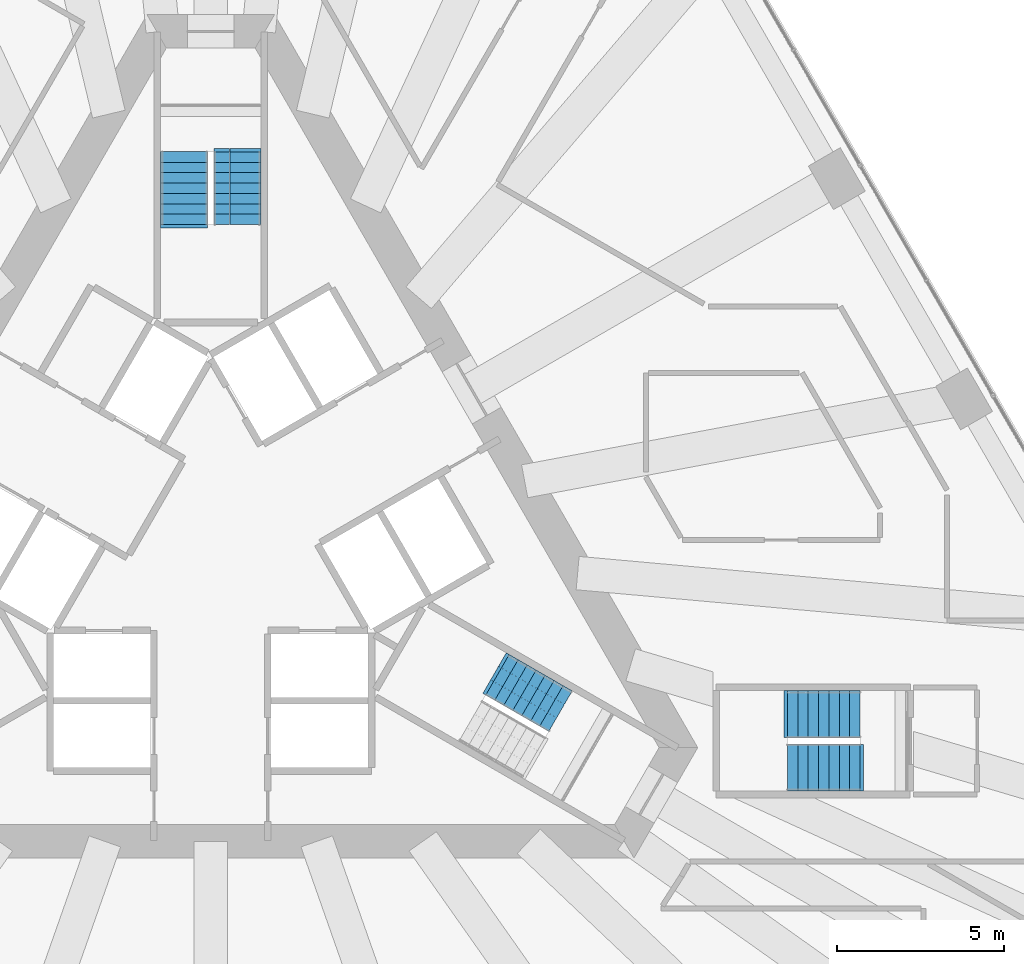
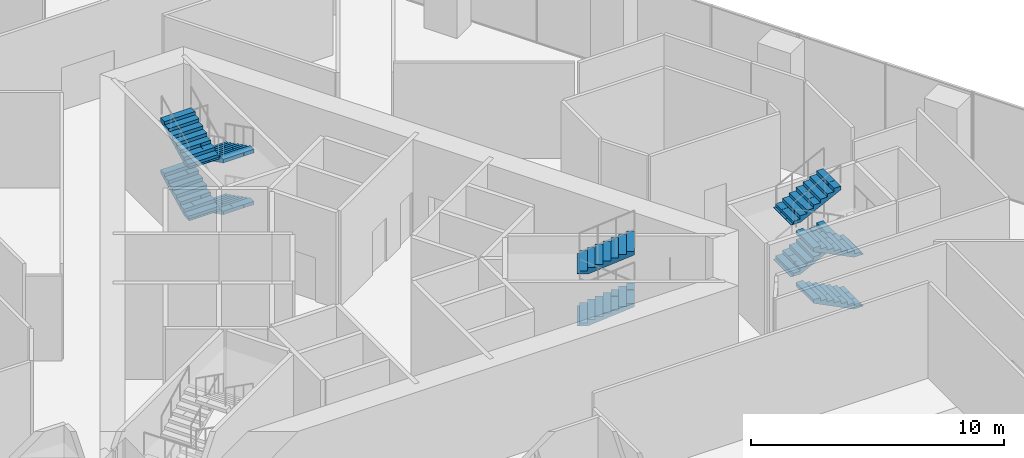
# One storey, part 30 of 32: 10 stair flights, 3 elements without a shape of their own.
"""IFC4 building model written with IfcOpenShell, lengths in metres."""

from ifc_helpers import new_model, si_unit, direction, frame, origin, place, context, subcontext, project, spatial, polyline, outline, extrude, material, type_object, element, aggregate, save


model = new_model("IFC4")

# Units and contexts
model_context = context("Model", 3, precision=1e-05, world=origin(), true_north=direction((0.0, 1.0)))
body_context = subcontext(model_context, "Body", "Model", "MODEL_VIEW")
ifc_project = project(units=[si_unit("LENGTHUNIT", "METRE"), si_unit("AREAUNIT", "SQUARE_METRE"), si_unit("VOLUMEUNIT", "CUBIC_METRE"), si_unit("PLANEANGLEUNIT", "RADIAN"), si_unit("MASSUNIT", "GRAM", prefix="KILO")], contexts=[model_context])

# Site, building, storey
site_placement = place(None, origin())
site = spatial("IfcSite", under=ifc_project, at=site_placement, CompositionType="ELEMENT")
building_placement = place(site_placement, origin())
building = spatial("IfcBuilding", under=site, at=building_placement, Name="Triada Interchange Tower", CompositionType="ELEMENT")
storey_placement = place(building_placement, frame((0.0, 0.0, 25.300048828125)))
storey = spatial("IfcBuildingStorey", under=building, at=storey_placement, Name="L04", CompositionType="ELEMENT", Elevation=25.300048828125)

# Stair, stair flights
ifc_material = material(Name="Concrete C35/45", Category="concrete")
stair_type = type_object("IfcStairType", Name="HALF TURN STAIR 1400", PredefinedType="HALF_TURN_STAIR", material=ifc_material)
stair_1_placement = place(storey_placement, origin())
stair_1 = element("IfcStair", 1, at=stair_1_placement, inside=storey, type_object=stair_type, Name="Exit stair S04-1", PredefinedType="HALF_TURN_STAIR")
stair_flight_type = type_object("IfcStairFlightType", Name="STRAIGHT STAIR FLIGHT 1400", PredefinedType="STRAIGHT", material=ifc_material)
stair_flight_1_placement = place(storey_placement, frame((0.800048828125, 11.60009765625, 0.0), z_axis=(0.0, 0.0, 1.0), x_axis=(0.0, -1.0, 0.0)))
stair_flight_1 = element("IfcStairFlight", 2, at=stair_flight_1_placement, type_object=stair_flight_type, Name="S04-1 flight 1", NumberOfRisers=8, NumberOfTreads=7, PredefinedType="STRAIGHT", RiserHeight=0.15625, TreadLength=0.31, context=body_context, shape_type="SweptSolid", body=[
    extrude(outline(polyline([(-0.10009765625, 0.0), (-0.10009765625, 0.02001953125), (0.0, 0.02001953125), (0.0, 0.15625), (0.31005859375, 0.15625), (0.31005859375, 0.3125), (0.6201171875, 0.3125), (0.6201171875, 0.46875), (0.929931640625, 0.46875), (0.929931640625, 0.625), (1.239990234375, 0.625), (1.239990234375, 0.78125), (1.550048828125, 0.78125), (1.550048828125, 0.9375), (1.860107421875, 0.9375), (1.860107421875, 1.09375), (2.169921875, 1.09375), (2.174072265625, 1.09375), (2.174072265625, 1.25), (2.174072265625, 0.92578125), (0.3330078125, 0.0), (-0.10009765625, 0.0)])), frame((0.0, 0.699951171875, 0.0), z_axis=(0.0, -1.0, 0.0), x_axis=(1.0, 0.0, 0.0)), (0.0, 0.0, 1.0), 0.46533203125),
    extrude(outline(polyline([(-0.10009765625, 0.0), (-0.10009765625, 0.02001953125), (0.0, 0.02001953125), (0.0, 0.15625), (0.31005859375, 0.15625), (0.31005859375, 0.3125), (0.6201171875, 0.3125), (0.6201171875, 0.46875), (0.929931640625, 0.46875), (0.929931640625, 0.625), (1.239990234375, 0.625), (1.239990234375, 0.78125), (1.550048828125, 0.78125), (1.550048828125, 0.9375), (1.860107421875, 0.9375), (1.860107421875, 1.09375), (2.169921875, 1.09375), (2.174072265625, 1.09375), (2.174072265625, 1.25), (2.174072265625, 0.92578125), (0.3330078125, 0.0), (-0.10009765625, 0.0)])), frame((0.0, 0.232666015625, 0.0), z_axis=(0.0, -1.0, 0.0), x_axis=(1.0, 0.0, 0.0)), (0.0, 0.0, 1.0), 0.46533203125),
    extrude(outline(polyline([(-0.10009765625, 0.0), (-0.10009765625, 0.02001953125), (0.0, 0.02001953125), (0.0, 0.15625), (0.31005859375, 0.15625), (0.31005859375, 0.3125), (0.6201171875, 0.3125), (0.6201171875, 0.46875), (0.929931640625, 0.46875), (0.929931640625, 0.625), (1.239990234375, 0.625), (1.239990234375, 0.78125), (1.550048828125, 0.78125), (1.550048828125, 0.9375), (1.860107421875, 0.9375), (1.860107421875, 1.09375), (2.169921875, 1.09375), (2.174072265625, 1.09375), (2.174072265625, 1.25), (2.174072265625, 0.92578125), (0.3330078125, 0.0), (-0.10009765625, 0.0)])), frame((0.0, -0.234619140625, 0.0), z_axis=(0.0, -1.0, 0.0), x_axis=(1.0, 0.0, 0.0)), (0.0, 0.0, 1.0), 0.46533203125),
])
stair_flight_2_placement = place(storey_placement, frame((-0.800048828125, 9.429931640625, 1.25), z_axis=(0.0, 0.0, 1.0), x_axis=(0.0, 1.0, 0.0)))
stair_flight_2 = element("IfcStairFlight", 3, at=stair_flight_2_placement, type_object=stair_flight_type, Name="S04-1 flight 2", NumberOfRisers=8, NumberOfTreads=7, PredefinedType="STRAIGHT", RiserHeight=0.15625, TreadLength=0.31, context=body_context, shape_type="SweptSolid", body=[
    extrude(outline(polyline([(-0.10009765625, 0.0), (-0.10009765625, 0.02001953125), (0.0, 0.02001953125), (0.0, 0.15625), (0.31005859375, 0.15625), (0.31005859375, 0.3125), (0.6201171875, 0.3125), (0.6201171875, 0.46875), (0.929931640625, 0.46875), (0.929931640625, 0.625), (1.239990234375, 0.625), (1.239990234375, 0.78125), (1.550048828125, 0.78125), (1.550048828125, 0.9375), (1.860107421875, 0.9375), (1.860107421875, 1.09375), (2.169921875, 1.09375), (2.174072265625, 1.09375), (2.174072265625, 1.25), (2.174072265625, 0.92578125), (0.3330078125, 0.0), (-0.10009765625, 0.0)])), frame((0.0, 0.699951171875, 0.0), z_axis=(0.0, -1.0, 0.0), x_axis=(1.0, 0.0, 0.0)), (0.0, 0.0, 1.0), 0.46533203125),
    extrude(outline(polyline([(-0.10009765625, 0.0), (-0.10009765625, 0.02001953125), (0.0, 0.02001953125), (0.0, 0.15625), (0.31005859375, 0.15625), (0.31005859375, 0.3125), (0.6201171875, 0.3125), (0.6201171875, 0.46875), (0.929931640625, 0.46875), (0.929931640625, 0.625), (1.239990234375, 0.625), (1.239990234375, 0.78125), (1.550048828125, 0.78125), (1.550048828125, 0.9375), (1.860107421875, 0.9375), (1.860107421875, 1.09375), (2.169921875, 1.09375), (2.174072265625, 1.09375), (2.174072265625, 1.25), (2.174072265625, 0.92578125), (0.3330078125, 0.0), (-0.10009765625, 0.0)])), frame((0.0, 0.232666015625, 0.0), z_axis=(0.0, -1.0, 0.0), x_axis=(1.0, 0.0, 0.0)), (0.0, 0.0, 1.0), 0.46533203125),
    extrude(outline(polyline([(-0.10009765625, 0.0), (-0.10009765625, 0.02001953125), (0.0, 0.02001953125), (0.0, 0.15625), (0.31005859375, 0.15625), (0.31005859375, 0.3125), (0.6201171875, 0.3125), (0.6201171875, 0.46875), (0.929931640625, 0.46875), (0.929931640625, 0.625), (1.239990234375, 0.625), (1.239990234375, 0.78125), (1.550048828125, 0.78125), (1.550048828125, 0.9375), (1.860107421875, 0.9375), (1.860107421875, 1.09375), (2.169921875, 1.09375), (2.174072265625, 1.09375), (2.174072265625, 1.25), (2.174072265625, 0.92578125), (0.3330078125, 0.0), (-0.10009765625, 0.0)])), frame((0.0, -0.234619140625, 0.0), z_axis=(0.0, -1.0, 0.0), x_axis=(1.0, 0.0, 0.0)), (0.0, 0.0, 1.0), 0.46533203125),
])
stair_flight_3_placement = place(storey_placement, frame((0.800048828125, 11.60009765625, 2.5), z_axis=(0.0, 0.0, 1.0), x_axis=(0.0, -1.0, 0.0)))
stair_flight_3 = element("IfcStairFlight", 4, at=stair_flight_3_placement, type_object=stair_flight_type, Name="S04-1 flight 3", NumberOfRisers=8, NumberOfTreads=7, PredefinedType="STRAIGHT", RiserHeight=0.15625, TreadLength=0.31, context=body_context, shape_type="SweptSolid", body=[
    extrude(outline(polyline([(-0.10009765625, 0.0), (-0.10009765625, 0.02001953125), (0.0, 0.02001953125), (0.0, 0.15625), (0.31005859375, 0.15625), (0.31005859375, 0.3125), (0.6201171875, 0.3125), (0.6201171875, 0.46875), (0.929931640625, 0.46875), (0.929931640625, 0.625), (1.239990234375, 0.625), (1.239990234375, 0.78125), (1.550048828125, 0.78125), (1.550048828125, 0.9375), (1.860107421875, 0.9375), (1.860107421875, 1.09375), (2.169921875, 1.09375), (2.174072265625, 1.09375), (2.174072265625, 1.25), (2.174072265625, 0.92578125), (0.3330078125, 0.0), (-0.10009765625, 0.0)])), frame((0.0, 0.699951171875, 0.0), z_axis=(0.0, -1.0, 0.0), x_axis=(1.0, 0.0, 0.0)), (0.0, 0.0, 1.0), 0.46533203125),
    extrude(outline(polyline([(-0.10009765625, 0.0), (-0.10009765625, 0.02001953125), (0.0, 0.02001953125), (0.0, 0.15625), (0.31005859375, 0.15625), (0.31005859375, 0.3125), (0.6201171875, 0.3125), (0.6201171875, 0.46875), (0.929931640625, 0.46875), (0.929931640625, 0.625), (1.239990234375, 0.625), (1.239990234375, 0.78125), (1.550048828125, 0.78125), (1.550048828125, 0.9375), (1.860107421875, 0.9375), (1.860107421875, 1.09375), (2.169921875, 1.09375), (2.174072265625, 1.09375), (2.174072265625, 1.25), (2.174072265625, 0.92578125), (0.3330078125, 0.0), (-0.10009765625, 0.0)])), frame((0.0, 0.232666015625, 0.0), z_axis=(0.0, -1.0, 0.0), x_axis=(1.0, 0.0, 0.0)), (0.0, 0.0, 1.0), 0.46533203125),
    extrude(outline(polyline([(-0.10009765625, 0.0), (-0.10009765625, 0.02001953125), (0.0, 0.02001953125), (0.0, 0.15625), (0.31005859375, 0.15625), (0.31005859375, 0.3125), (0.6201171875, 0.3125), (0.6201171875, 0.46875), (0.929931640625, 0.46875), (0.929931640625, 0.625), (1.239990234375, 0.625), (1.239990234375, 0.78125), (1.550048828125, 0.78125), (1.550048828125, 0.9375), (1.860107421875, 0.9375), (1.860107421875, 1.09375), (2.169921875, 1.09375), (2.174072265625, 1.09375), (2.174072265625, 1.25), (2.174072265625, 0.92578125), (0.3330078125, 0.0), (-0.10009765625, 0.0)])), frame((0.0, -0.234619140625, 0.0), z_axis=(0.0, -1.0, 0.0), x_axis=(1.0, 0.0, 0.0)), (0.0, 0.0, 1.0), 0.46533203125),
])
stair_flight_4_placement = place(storey_placement, frame((-0.800048828125, 9.429931640625, 3.75), z_axis=(0.0, 0.0, 1.0), x_axis=(0.0, 1.0, 0.0)))
stair_flight_4 = element("IfcStairFlight", 5, at=stair_flight_4_placement, type_object=stair_flight_type, Name="S04-1 flight 4", NumberOfRisers=8, NumberOfTreads=7, PredefinedType="STRAIGHT", RiserHeight=0.15625, TreadLength=0.31, context=body_context, shape_type="SweptSolid", body=[
    extrude(outline(polyline([(-0.10009765625, 0.0), (-0.10009765625, 0.02001953125), (0.0, 0.02001953125), (0.0, 0.15625), (0.31005859375, 0.15625), (0.31005859375, 0.3125), (0.6201171875, 0.3125), (0.6201171875, 0.46875), (0.929931640625, 0.46875), (0.929931640625, 0.625), (1.239990234375, 0.625), (1.239990234375, 0.78125), (1.550048828125, 0.78125), (1.550048828125, 0.9375), (1.860107421875, 0.9375), (1.860107421875, 1.09375), (2.169921875, 1.09375), (2.174072265625, 1.09375), (2.174072265625, 1.25), (2.174072265625, 0.92578125), (0.3330078125, 0.0), (-0.10009765625, 0.0)])), frame((0.0, 0.699951171875, 0.0), z_axis=(0.0, -1.0, 0.0), x_axis=(1.0, 0.0, 0.0)), (0.0, 0.0, 1.0), 0.46533203125),
    extrude(outline(polyline([(-0.10009765625, 0.0), (-0.10009765625, 0.02001953125), (0.0, 0.02001953125), (0.0, 0.15625), (0.31005859375, 0.15625), (0.31005859375, 0.3125), (0.6201171875, 0.3125), (0.6201171875, 0.46875), (0.929931640625, 0.46875), (0.929931640625, 0.625), (1.239990234375, 0.625), (1.239990234375, 0.78125), (1.550048828125, 0.78125), (1.550048828125, 0.9375), (1.860107421875, 0.9375), (1.860107421875, 1.09375), (2.169921875, 1.09375), (2.174072265625, 1.09375), (2.174072265625, 1.25), (2.174072265625, 0.92578125), (0.3330078125, 0.0), (-0.10009765625, 0.0)])), frame((0.0, 0.232666015625, 0.0), z_axis=(0.0, -1.0, 0.0), x_axis=(1.0, 0.0, 0.0)), (0.0, 0.0, 1.0), 0.46533203125),
    extrude(outline(polyline([(-0.10009765625, 0.0), (-0.10009765625, 0.02001953125), (0.0, 0.02001953125), (0.0, 0.15625), (0.31005859375, 0.15625), (0.31005859375, 0.3125), (0.6201171875, 0.3125), (0.6201171875, 0.46875), (0.929931640625, 0.46875), (0.929931640625, 0.625), (1.239990234375, 0.625), (1.239990234375, 0.78125), (1.550048828125, 0.78125), (1.550048828125, 0.9375), (1.860107421875, 0.9375), (1.860107421875, 1.09375), (2.169921875, 1.09375), (2.174072265625, 1.09375), (2.174072265625, 1.25), (2.174072265625, 0.92578125), (0.3330078125, 0.0), (-0.10009765625, 0.0)])), frame((0.0, -0.234619140625, 0.0), z_axis=(0.0, -1.0, 0.0), x_axis=(1.0, 0.0, 0.0)), (0.0, 0.0, 1.0), 0.46533203125),
])
aggregate(stair_1, [stair_flight_1, stair_flight_2, stair_flight_3, stair_flight_4])

stair_2_placement = place(storey_placement, origin())
stair_2 = element("IfcStair", 6, at=stair_2_placement, inside=storey, type_object=stair_type, Name="Exit stair S04-3", PredefinedType="HALF_TURN_STAIR")
stair_flight_5_placement = place(storey_placement, frame((8.56689453125, -4.02197265625, 1.25), z_axis=(0.0, 0.0, 1.0), x_axis=(0.866025403784, -0.5, 0.0)))
stair_flight_5 = element("IfcStairFlight", 7, at=stair_flight_5_placement, type_object=stair_flight_type, Name="S04-3 flight 2", NumberOfRisers=8, NumberOfTreads=7, PredefinedType="STRAIGHT", RiserHeight=0.15625, TreadLength=0.31, context=body_context, shape_type="SweptSolid", body=[
    extrude(outline(polyline([(-0.10009765625, 0.0), (-0.10009765625, 0.02001953125), (0.0, 0.02001953125), (0.0, 0.15625), (0.31005859375, 0.15625), (0.31005859375, 0.3125), (0.6201171875, 0.3125), (0.6201171875, 0.46875), (0.929931640625, 0.46875), (0.929931640625, 0.625), (1.239990234375, 0.625), (1.239990234375, 0.78125), (1.550048828125, 0.78125), (1.550048828125, 0.9375), (1.860107421875, 0.9375), (1.860107421875, 1.09375), (2.169921875, 1.09375), (2.174072265625, 1.09375), (2.174072265625, 1.25), (2.174072265625, 0.92578125), (0.3330078125, 0.0), (-0.10009765625, 0.0)])), frame((0.0, 0.699951171875, 0.0), z_axis=(0.0, -1.0, 0.0), x_axis=(1.0, 0.0, 0.0)), (0.0, 0.0, 1.0), 0.46533203125),
    extrude(outline(polyline([(-0.10009765625, 0.0), (-0.10009765625, 0.02001953125), (0.0, 0.02001953125), (0.0, 0.15625), (0.31005859375, 0.15625), (0.31005859375, 0.3125), (0.6201171875, 0.3125), (0.6201171875, 0.46875), (0.929931640625, 0.46875), (0.929931640625, 0.625), (1.239990234375, 0.625), (1.239990234375, 0.78125), (1.550048828125, 0.78125), (1.550048828125, 0.9375), (1.860107421875, 0.9375), (1.860107421875, 1.09375), (2.169921875, 1.09375), (2.174072265625, 1.09375), (2.174072265625, 1.25), (2.174072265625, 0.92578125), (0.3330078125, 0.0), (-0.10009765625, 0.0)])), frame((0.0, 0.232666015625, 0.0), z_axis=(0.0, -1.0, 0.0), x_axis=(1.0, 0.0, 0.0)), (0.0, 0.0, 1.0), 0.46533203125),
    extrude(outline(polyline([(-0.10009765625, 0.0), (-0.10009765625, 0.02001953125), (0.0, 0.02001953125), (0.0, 0.15625), (0.31005859375, 0.15625), (0.31005859375, 0.3125), (0.6201171875, 0.3125), (0.6201171875, 0.46875), (0.929931640625, 0.46875), (0.929931640625, 0.625), (1.239990234375, 0.625), (1.239990234375, 0.78125), (1.550048828125, 0.78125), (1.550048828125, 0.9375), (1.860107421875, 0.9375), (1.860107421875, 1.09375), (2.169921875, 1.09375), (2.174072265625, 1.09375), (2.174072265625, 1.25), (2.174072265625, 0.92578125), (0.3330078125, 0.0), (-0.10009765625, 0.0)])), frame((0.0, -0.234619140625, 0.0), z_axis=(0.0, -1.0, 0.0), x_axis=(1.0, 0.0, 0.0)), (0.0, 0.0, 1.0), 0.46533203125),
])
stair_flight_6_placement = place(storey_placement, frame((8.56689453125, -4.02197265625, 3.75), z_axis=(0.0, 0.0, 1.0), x_axis=(0.866025403784, -0.5, 0.0)))
stair_flight_6 = element("IfcStairFlight", 8, at=stair_flight_6_placement, type_object=stair_flight_type, Name="S04-3 flight 4", NumberOfRisers=8, NumberOfTreads=7, PredefinedType="STRAIGHT", RiserHeight=0.15625, TreadLength=0.31, context=body_context, shape_type="SweptSolid", body=[
    extrude(outline(polyline([(-0.10009765625, 0.0), (-0.10009765625, 0.02001953125), (0.0, 0.02001953125), (0.0, 0.15625), (0.31005859375, 0.15625), (0.31005859375, 0.3125), (0.6201171875, 0.3125), (0.6201171875, 0.46875), (0.929931640625, 0.46875), (0.929931640625, 0.625), (1.239990234375, 0.625), (1.239990234375, 0.78125), (1.550048828125, 0.78125), (1.550048828125, 0.9375), (1.860107421875, 0.9375), (1.860107421875, 1.09375), (2.169921875, 1.09375), (2.174072265625, 1.09375), (2.174072265625, 1.25), (2.174072265625, 0.92578125), (0.3330078125, 0.0), (-0.10009765625, 0.0)])), frame((0.0, 0.699951171875, 0.0), z_axis=(0.0, -1.0, 0.0), x_axis=(1.0, 0.0, 0.0)), (0.0, 0.0, 1.0), 0.46533203125),
    extrude(outline(polyline([(-0.10009765625, 0.0), (-0.10009765625, 0.02001953125), (0.0, 0.02001953125), (0.0, 0.15625), (0.31005859375, 0.15625), (0.31005859375, 0.3125), (0.6201171875, 0.3125), (0.6201171875, 0.46875), (0.929931640625, 0.46875), (0.929931640625, 0.625), (1.239990234375, 0.625), (1.239990234375, 0.78125), (1.550048828125, 0.78125), (1.550048828125, 0.9375), (1.860107421875, 0.9375), (1.860107421875, 1.09375), (2.169921875, 1.09375), (2.174072265625, 1.09375), (2.174072265625, 1.25), (2.174072265625, 0.92578125), (0.3330078125, 0.0), (-0.10009765625, 0.0)])), frame((0.0, 0.232666015625, 0.0), z_axis=(0.0, -1.0, 0.0), x_axis=(1.0, 0.0, 0.0)), (0.0, 0.0, 1.0), 0.46533203125),
    extrude(outline(polyline([(-0.10009765625, 0.0), (-0.10009765625, 0.02001953125), (0.0, 0.02001953125), (0.0, 0.15625), (0.31005859375, 0.15625), (0.31005859375, 0.3125), (0.6201171875, 0.3125), (0.6201171875, 0.46875), (0.929931640625, 0.46875), (0.929931640625, 0.625), (1.239990234375, 0.625), (1.239990234375, 0.78125), (1.550048828125, 0.78125), (1.550048828125, 0.9375), (1.860107421875, 0.9375), (1.860107421875, 1.09375), (2.169921875, 1.09375), (2.174072265625, 1.09375), (2.174072265625, 1.25), (2.174072265625, 0.92578125), (0.3330078125, 0.0), (-0.10009765625, 0.0)])), frame((0.0, -0.234619140625, 0.0), z_axis=(0.0, -1.0, 0.0), x_axis=(1.0, 0.0, 0.0)), (0.0, 0.0, 1.0), 0.46533203125),
])
aggregate(stair_2, [stair_flight_5, stair_flight_6])

stair_3_placement = place(storey_placement, origin())
stair_3 = element("IfcStair", 9, at=stair_3_placement, inside=storey, type_object=stair_type, Name="Exit stair S04-7", PredefinedType="HALF_TURN_STAIR")
stair_flight_7_placement = place(storey_placement, frame((19.39990234375, -6.800048828125, 0.0), z_axis=(0.0, 0.0, 1.0), x_axis=(-1.0, 0.0, 0.0)))
stair_flight_7 = element("IfcStairFlight", 10, at=stair_flight_7_placement, type_object=stair_flight_type, Name="S04-7 flight 1", NumberOfRisers=8, NumberOfTreads=7, PredefinedType="STRAIGHT", RiserHeight=0.15625, TreadLength=0.31, context=body_context, shape_type="SweptSolid", body=[
    extrude(outline(polyline([(-0.10009765625, 0.0), (-0.10009765625, 0.02001953125), (0.0, 0.02001953125), (0.0, 0.15625), (0.31005859375, 0.15625), (0.31005859375, 0.3125), (0.6201171875, 0.3125), (0.6201171875, 0.46875), (0.929931640625, 0.46875), (0.929931640625, 0.625), (1.239990234375, 0.625), (1.239990234375, 0.78125), (1.550048828125, 0.78125), (1.550048828125, 0.9375), (1.860107421875, 0.9375), (1.860107421875, 1.09375), (2.169921875, 1.09375), (2.174072265625, 1.09375), (2.174072265625, 1.25), (2.174072265625, 0.92578125), (0.3330078125, 0.0), (-0.10009765625, 0.0)])), frame((0.0, 0.699951171875, 0.0), z_axis=(0.0, -1.0, 0.0), x_axis=(1.0, 0.0, 0.0)), (0.0, 0.0, 1.0), 0.46533203125),
    extrude(outline(polyline([(-0.10009765625, 0.0), (-0.10009765625, 0.02001953125), (0.0, 0.02001953125), (0.0, 0.15625), (0.31005859375, 0.15625), (0.31005859375, 0.3125), (0.6201171875, 0.3125), (0.6201171875, 0.46875), (0.929931640625, 0.46875), (0.929931640625, 0.625), (1.239990234375, 0.625), (1.239990234375, 0.78125), (1.550048828125, 0.78125), (1.550048828125, 0.9375), (1.860107421875, 0.9375), (1.860107421875, 1.09375), (2.169921875, 1.09375), (2.174072265625, 1.09375), (2.174072265625, 1.25), (2.174072265625, 0.92578125), (0.3330078125, 0.0), (-0.10009765625, 0.0)])), frame((0.0, 0.232666015625, 0.0), z_axis=(0.0, -1.0, 0.0), x_axis=(1.0, 0.0, 0.0)), (0.0, 0.0, 1.0), 0.46533203125),
    extrude(outline(polyline([(-0.10009765625, 0.0), (-0.10009765625, 0.02001953125), (0.0, 0.02001953125), (0.0, 0.15625), (0.31005859375, 0.15625), (0.31005859375, 0.3125), (0.6201171875, 0.3125), (0.6201171875, 0.46875), (0.929931640625, 0.46875), (0.929931640625, 0.625), (1.239990234375, 0.625), (1.239990234375, 0.78125), (1.550048828125, 0.78125), (1.550048828125, 0.9375), (1.860107421875, 0.9375), (1.860107421875, 1.09375), (2.169921875, 1.09375), (2.174072265625, 1.09375), (2.174072265625, 1.25), (2.174072265625, 0.92578125), (0.3330078125, 0.0), (-0.10009765625, 0.0)])), frame((0.0, -0.234619140625, 0.0), z_axis=(0.0, -1.0, 0.0), x_axis=(1.0, 0.0, 0.0)), (0.0, 0.0, 1.0), 0.46533203125),
])
stair_flight_8_placement = place(storey_placement, frame((17.22998046875, -5.199951171875, 1.25), z_axis=(0.0, 0.0, 1.0), x_axis=(1.0, 0.0, 0.0)))
stair_flight_8 = element("IfcStairFlight", 11, at=stair_flight_8_placement, type_object=stair_flight_type, Name="S04-7 flight 2", NumberOfRisers=8, NumberOfTreads=7, PredefinedType="STRAIGHT", RiserHeight=0.15625, TreadLength=0.31, context=body_context, shape_type="SweptSolid", body=[
    extrude(outline(polyline([(-0.10009765625, 0.0), (-0.10009765625, 0.02001953125), (0.0, 0.02001953125), (0.0, 0.15625), (0.31005859375, 0.15625), (0.31005859375, 0.3125), (0.6201171875, 0.3125), (0.6201171875, 0.46875), (0.929931640625, 0.46875), (0.929931640625, 0.625), (1.239990234375, 0.625), (1.239990234375, 0.78125), (1.550048828125, 0.78125), (1.550048828125, 0.9375), (1.860107421875, 0.9375), (1.860107421875, 1.09375), (2.169921875, 1.09375), (2.174072265625, 1.09375), (2.174072265625, 1.25), (2.174072265625, 0.92578125), (0.3330078125, 0.0), (-0.10009765625, 0.0)])), frame((0.0, 0.699951171875, 0.0), z_axis=(0.0, -1.0, 0.0), x_axis=(1.0, 0.0, 0.0)), (0.0, 0.0, 1.0), 0.46533203125),
    extrude(outline(polyline([(-0.10009765625, 0.0), (-0.10009765625, 0.02001953125), (0.0, 0.02001953125), (0.0, 0.15625), (0.31005859375, 0.15625), (0.31005859375, 0.3125), (0.6201171875, 0.3125), (0.6201171875, 0.46875), (0.929931640625, 0.46875), (0.929931640625, 0.625), (1.239990234375, 0.625), (1.239990234375, 0.78125), (1.550048828125, 0.78125), (1.550048828125, 0.9375), (1.860107421875, 0.9375), (1.860107421875, 1.09375), (2.169921875, 1.09375), (2.174072265625, 1.09375), (2.174072265625, 1.25), (2.174072265625, 0.92578125), (0.3330078125, 0.0), (-0.10009765625, 0.0)])), frame((0.0, 0.232666015625, 0.0), z_axis=(0.0, -1.0, 0.0), x_axis=(1.0, 0.0, 0.0)), (0.0, 0.0, 1.0), 0.46533203125),
    extrude(outline(polyline([(-0.10009765625, 0.0), (-0.10009765625, 0.02001953125), (0.0, 0.02001953125), (0.0, 0.15625), (0.31005859375, 0.15625), (0.31005859375, 0.3125), (0.6201171875, 0.3125), (0.6201171875, 0.46875), (0.929931640625, 0.46875), (0.929931640625, 0.625), (1.239990234375, 0.625), (1.239990234375, 0.78125), (1.550048828125, 0.78125), (1.550048828125, 0.9375), (1.860107421875, 0.9375), (1.860107421875, 1.09375), (2.169921875, 1.09375), (2.174072265625, 1.09375), (2.174072265625, 1.25), (2.174072265625, 0.92578125), (0.3330078125, 0.0), (-0.10009765625, 0.0)])), frame((0.0, -0.234619140625, 0.0), z_axis=(0.0, -1.0, 0.0), x_axis=(1.0, 0.0, 0.0)), (0.0, 0.0, 1.0), 0.46533203125),
])
stair_flight_9_placement = place(storey_placement, frame((19.39990234375, -6.800048828125, 2.5), z_axis=(0.0, 0.0, 1.0), x_axis=(-1.0, 0.0, 0.0)))
stair_flight_9 = element("IfcStairFlight", 12, at=stair_flight_9_placement, type_object=stair_flight_type, Name="S04-7 flight 3", NumberOfRisers=8, NumberOfTreads=7, PredefinedType="STRAIGHT", RiserHeight=0.15625, TreadLength=0.31, context=body_context, shape_type="SweptSolid", body=[
    extrude(outline(polyline([(-0.10009765625, 0.0), (-0.10009765625, 0.02001953125), (0.0, 0.02001953125), (0.0, 0.15625), (0.31005859375, 0.15625), (0.31005859375, 0.3125), (0.6201171875, 0.3125), (0.6201171875, 0.46875), (0.929931640625, 0.46875), (0.929931640625, 0.625), (1.239990234375, 0.625), (1.239990234375, 0.78125), (1.550048828125, 0.78125), (1.550048828125, 0.9375), (1.860107421875, 0.9375), (1.860107421875, 1.09375), (2.169921875, 1.09375), (2.174072265625, 1.09375), (2.174072265625, 1.25), (2.174072265625, 0.92578125), (0.3330078125, 0.0), (-0.10009765625, 0.0)])), frame((0.0, 0.699951171875, 0.0), z_axis=(0.0, -1.0, 0.0), x_axis=(1.0, 0.0, 0.0)), (0.0, 0.0, 1.0), 0.46533203125),
    extrude(outline(polyline([(-0.10009765625, 0.0), (-0.10009765625, 0.02001953125), (0.0, 0.02001953125), (0.0, 0.15625), (0.31005859375, 0.15625), (0.31005859375, 0.3125), (0.6201171875, 0.3125), (0.6201171875, 0.46875), (0.929931640625, 0.46875), (0.929931640625, 0.625), (1.239990234375, 0.625), (1.239990234375, 0.78125), (1.550048828125, 0.78125), (1.550048828125, 0.9375), (1.860107421875, 0.9375), (1.860107421875, 1.09375), (2.169921875, 1.09375), (2.174072265625, 1.09375), (2.174072265625, 1.25), (2.174072265625, 0.92578125), (0.3330078125, 0.0), (-0.10009765625, 0.0)])), frame((0.0, 0.232666015625, 0.0), z_axis=(0.0, -1.0, 0.0), x_axis=(1.0, 0.0, 0.0)), (0.0, 0.0, 1.0), 0.46533203125),
    extrude(outline(polyline([(-0.10009765625, 0.0), (-0.10009765625, 0.02001953125), (0.0, 0.02001953125), (0.0, 0.15625), (0.31005859375, 0.15625), (0.31005859375, 0.3125), (0.6201171875, 0.3125), (0.6201171875, 0.46875), (0.929931640625, 0.46875), (0.929931640625, 0.625), (1.239990234375, 0.625), (1.239990234375, 0.78125), (1.550048828125, 0.78125), (1.550048828125, 0.9375), (1.860107421875, 0.9375), (1.860107421875, 1.09375), (2.169921875, 1.09375), (2.174072265625, 1.09375), (2.174072265625, 1.25), (2.174072265625, 0.92578125), (0.3330078125, 0.0), (-0.10009765625, 0.0)])), frame((0.0, -0.234619140625, 0.0), z_axis=(0.0, -1.0, 0.0), x_axis=(1.0, 0.0, 0.0)), (0.0, 0.0, 1.0), 0.46533203125),
])
stair_flight_10_placement = place(storey_placement, frame((17.22998046875, -5.199951171875, 3.75), z_axis=(0.0, 0.0, 1.0), x_axis=(1.0, 0.0, 0.0)))
stair_flight_10 = element("IfcStairFlight", 13, at=stair_flight_10_placement, type_object=stair_flight_type, Name="S04-7 flight 4", NumberOfRisers=8, NumberOfTreads=7, PredefinedType="STRAIGHT", RiserHeight=0.15625, TreadLength=0.31, context=body_context, shape_type="SweptSolid", body=[
    extrude(outline(polyline([(-0.10009765625, 0.0), (-0.10009765625, 0.02001953125), (0.0, 0.02001953125), (0.0, 0.15625), (0.31005859375, 0.15625), (0.31005859375, 0.3125), (0.6201171875, 0.3125), (0.6201171875, 0.46875), (0.929931640625, 0.46875), (0.929931640625, 0.625), (1.239990234375, 0.625), (1.239990234375, 0.78125), (1.550048828125, 0.78125), (1.550048828125, 0.9375), (1.860107421875, 0.9375), (1.860107421875, 1.09375), (2.169921875, 1.09375), (2.174072265625, 1.09375), (2.174072265625, 1.25), (2.174072265625, 0.92578125), (0.3330078125, 0.0), (-0.10009765625, 0.0)])), frame((0.0, 0.699951171875, 0.0), z_axis=(0.0, -1.0, 0.0), x_axis=(1.0, 0.0, 0.0)), (0.0, 0.0, 1.0), 0.46533203125),
    extrude(outline(polyline([(-0.10009765625, 0.0), (-0.10009765625, 0.02001953125), (0.0, 0.02001953125), (0.0, 0.15625), (0.31005859375, 0.15625), (0.31005859375, 0.3125), (0.6201171875, 0.3125), (0.6201171875, 0.46875), (0.929931640625, 0.46875), (0.929931640625, 0.625), (1.239990234375, 0.625), (1.239990234375, 0.78125), (1.550048828125, 0.78125), (1.550048828125, 0.9375), (1.860107421875, 0.9375), (1.860107421875, 1.09375), (2.169921875, 1.09375), (2.174072265625, 1.09375), (2.174072265625, 1.25), (2.174072265625, 0.92578125), (0.3330078125, 0.0), (-0.10009765625, 0.0)])), frame((0.0, 0.232666015625, 0.0), z_axis=(0.0, -1.0, 0.0), x_axis=(1.0, 0.0, 0.0)), (0.0, 0.0, 1.0), 0.46533203125),
    extrude(outline(polyline([(-0.10009765625, 0.0), (-0.10009765625, 0.02001953125), (0.0, 0.02001953125), (0.0, 0.15625), (0.31005859375, 0.15625), (0.31005859375, 0.3125), (0.6201171875, 0.3125), (0.6201171875, 0.46875), (0.929931640625, 0.46875), (0.929931640625, 0.625), (1.239990234375, 0.625), (1.239990234375, 0.78125), (1.550048828125, 0.78125), (1.550048828125, 0.9375), (1.860107421875, 0.9375), (1.860107421875, 1.09375), (2.169921875, 1.09375), (2.174072265625, 1.09375), (2.174072265625, 1.25), (2.174072265625, 0.92578125), (0.3330078125, 0.0), (-0.10009765625, 0.0)])), frame((0.0, -0.234619140625, 0.0), z_axis=(0.0, -1.0, 0.0), x_axis=(1.0, 0.0, 0.0)), (0.0, 0.0, 1.0), 0.46533203125),
])
aggregate(stair_3, [stair_flight_7, stair_flight_8, stair_flight_9, stair_flight_10])

save(model, "model.ifc")
